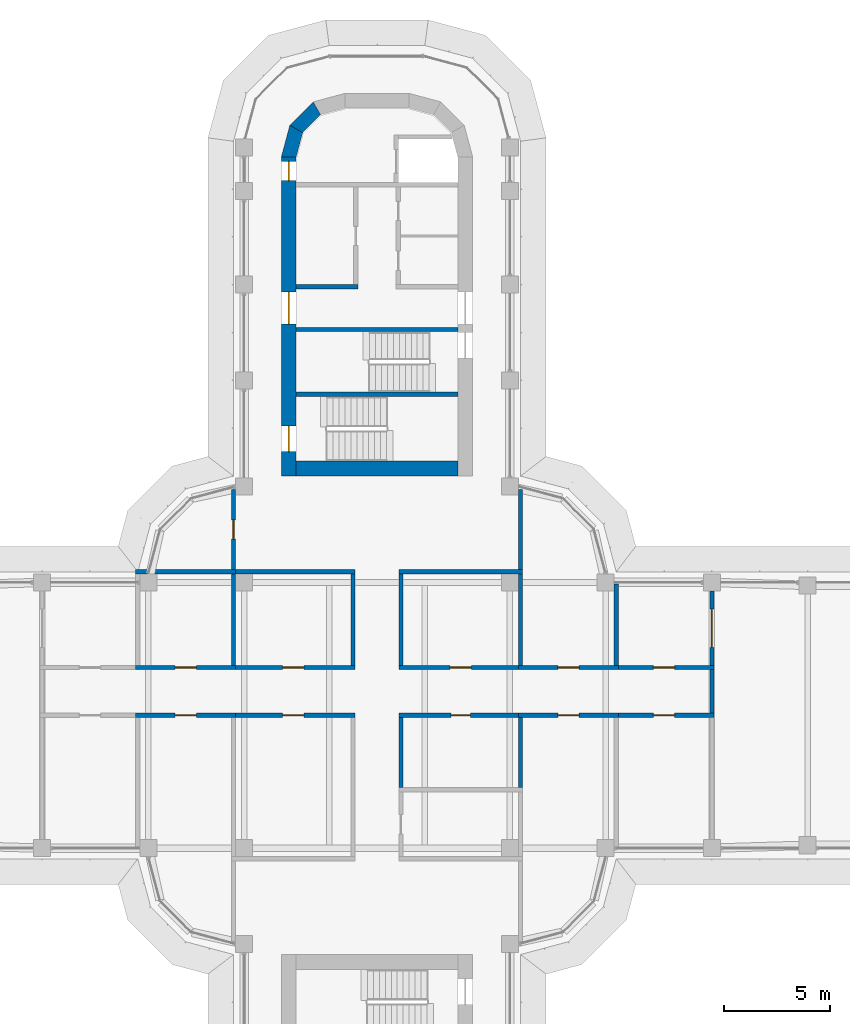
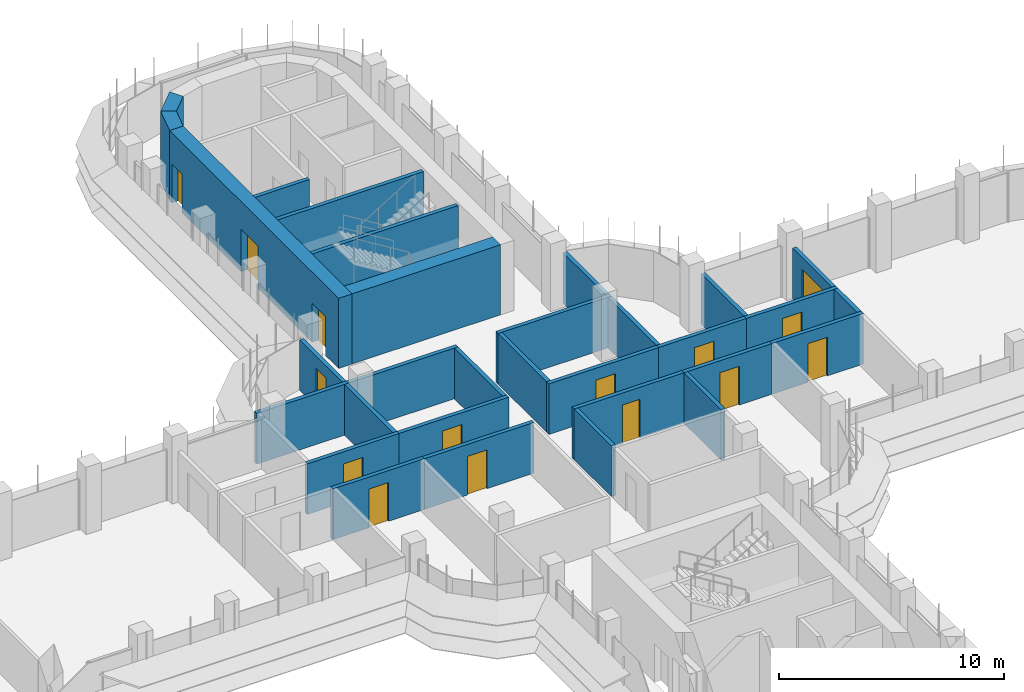
# One storey, part 15 of 20: 31 walls, 15 doors, 15 openings.
"""IFC4 building model written with IfcOpenShell, lengths in metres."""

from ifc_helpers import new_model, si_unit, direction, frame, frame_2d, origin, place, context, subcontext, project, spatial, polyline, rectangle, outline, extrude, material, layer, layer_set, type_object, element, fill, save


model = new_model("IFC4")

# Units and contexts
model_context = context("Model", 3, precision=1e-05, world=origin(), true_north=direction((0.0, 1.0)))
body_context = subcontext(model_context, "Body", "Model", "MODEL_VIEW")
ifc_project = project(units=[si_unit("LENGTHUNIT", "METRE"), si_unit("AREAUNIT", "SQUARE_METRE"), si_unit("VOLUMEUNIT", "CUBIC_METRE"), si_unit("PLANEANGLEUNIT", "RADIAN"), si_unit("MASSUNIT", "GRAM", prefix="KILO")], contexts=[model_context])

# Site, building, storey
site_placement = place(None, origin())
site = spatial("IfcSite", under=ifc_project, at=site_placement, CompositionType="ELEMENT")
building_placement = place(site_placement, origin())
building = spatial("IfcBuilding", under=site, at=building_placement, Name="Zarbagh Exchange Tower", CompositionType="ELEMENT")
storey_placement = place(building_placement, frame((0.0, 0.0, 148.60009765625)))
storey = spatial("IfcBuildingStorey", under=building, at=storey_placement, Name="L35", CompositionType="ELEMENT", Elevation=148.60009765625)

# Wall, opening, door
ifc_material_1 = material(Name="Fire-rated plasterboard partition")
ifc_layer_1 = layer(ifc_material_1, 0.199951171875)
ifc_layer_set_1 = layer_set([ifc_layer_1], Name="RATED PARTITION 200")
wall_type_1 = type_object("IfcWallType", Name="RATED PARTITION 200", PredefinedType="PARTITIONING", material=ifc_layer_set_1)
wall_1_placement = place(storey_placement, frame((1.02490234375, 2.25, 0.0), z_axis=(0.0, 0.0, 1.0), x_axis=(1.0, 0.0, 0.0)))
wall_1 = element("IfcWall", 1, at=wall_1_placement, inside=storey, type_object=wall_type_1, Name="Partition W-1501", PredefinedType="PARTITIONING", context=body_context, shape_type="SweptSolid", body=[
    extrude(rectangle(XDim=5.8251953125, YDim=0.199951171875, at=frame_2d((2.91259765625, 0.0))), origin(), (0.0, 0.0, 1.0), 2.75),
])
opening_1_placement = place(wall_1_placement, frame((2.41259765625, 0.0, 0.0)))
opening_1 = element("IfcOpeningElement", 2, at=opening_1_placement, cuts=wall_1, Name="Opening D-1504", PredefinedType="OPENING", context=body_context, shape_type="SweptSolid", body=[
    extrude(rectangle(XDim=1.0, YDim=2.10009765625, at=frame_2d((0.5, 1.050048828125))), frame((0.0, 0.10986328125, 0.0), z_axis=(0.0, -1.0, 0.0), x_axis=(1.0, 0.0, 0.0)), (0.0, 0.0, 1.0), 0.219970703125),
])
ifc_material_2 = material(Name="Steel door set", Category="steel")
door_type_1 = type_object("IfcDoorType", Name="FIRE DOOR 1000 X 2100 FD30S", OperationType="NOTDEFINED", PredefinedType="DOOR", material=ifc_material_2)
door_1_placement = place(opening_1_placement, origin())
door_1 = element("IfcDoor", 3, at=door_1_placement, inside=storey, type_object=door_type_1, Name="Door D-1504", OperationType="SINGLE_SWING_RIGHT", OverallHeight=2.10009765625, OverallWidth=1.0, PredefinedType="DOOR", context=body_context, shape_type="SweptSolid", body=[
    extrude(rectangle(XDim=1.0, YDim=2.10009765625, at=frame_2d((0.5, 1.050048828125))), frame((0.0, 0.02490234375, 0.0), z_axis=(0.0, -1.0, 0.0), x_axis=(1.0, 0.0, 0.0)), (0.0, 0.0, 1.0), 0.050048828125),
])
fill(opening_1, door_1)

wall_2_placement = place(storey_placement, frame((6.64990234375, 2.25, 0.0), z_axis=(0.0, 0.0, 1.0), x_axis=(1.0, 0.0, 0.0)))
wall_2 = element("IfcWall", 4, at=wall_2_placement, inside=storey, type_object=wall_type_1, Name="Partition W-1502", PredefinedType="PARTITIONING", context=body_context, shape_type="SweptSolid", body=[
    extrude(rectangle(XDim=4.7001953125, YDim=0.199951171875, at=frame_2d((2.35009765625, 0.0))), origin(), (0.0, 0.0, 1.0), 2.75),
])
opening_2_placement = place(wall_2_placement, frame((1.85009765625, 0.0, 0.0)))
opening_2 = element("IfcOpeningElement", 5, at=opening_2_placement, cuts=wall_2, Name="Opening D-1505", PredefinedType="OPENING", context=body_context, shape_type="SweptSolid", body=[
    extrude(rectangle(XDim=1.0, YDim=2.10009765625, at=frame_2d((0.5, 1.050048828125))), frame((0.0, 0.10986328125, 0.0), z_axis=(0.0, -1.0, 0.0), x_axis=(1.0, 0.0, 0.0)), (0.0, 0.0, 1.0), 0.219970703125),
])
door_2_placement = place(opening_2_placement, origin())
door_2 = element("IfcDoor", 6, at=door_2_placement, inside=storey, type_object=door_type_1, Name="Door D-1505", OperationType="SINGLE_SWING_RIGHT", OverallHeight=2.10009765625, OverallWidth=1.0, PredefinedType="DOOR", context=body_context, shape_type="SweptSolid", body=[
    extrude(rectangle(XDim=1.0, YDim=2.10009765625, at=frame_2d((0.5, 1.050048828125))), frame((0.0, 0.02490234375, 0.0), z_axis=(0.0, -1.0, 0.0), x_axis=(1.0, 0.0, 0.0)), (0.0, 0.0, 1.0), 0.050048828125),
])
fill(opening_2, door_2)

wall_3_placement = place(storey_placement, frame((-6.85009765625, 2.25, 0.0), z_axis=(0.0, 0.0, 1.0), x_axis=(1.0, 0.0, 0.0)))
wall_3 = element("IfcWall", 7, at=wall_3_placement, inside=storey, type_object=wall_type_1, Name="Partition W-1503", PredefinedType="PARTITIONING", context=body_context, shape_type="SweptSolid", body=[
    extrude(rectangle(XDim=5.8251953125, YDim=0.199951171875, at=frame_2d((2.91259765625, 0.0))), origin(), (0.0, 0.0, 1.0), 2.75),
])
opening_3_placement = place(wall_3_placement, frame((2.41259765625, 0.0, 0.0)))
opening_3 = element("IfcOpeningElement", 8, at=opening_3_placement, cuts=wall_3, Name="Opening D-1506", PredefinedType="OPENING", context=body_context, shape_type="SweptSolid", body=[
    extrude(rectangle(XDim=1.0, YDim=2.10009765625, at=frame_2d((0.5, 1.050048828125))), frame((0.0, 0.10986328125, 0.0), z_axis=(0.0, -1.0, 0.0), x_axis=(1.0, 0.0, 0.0)), (0.0, 0.0, 1.0), 0.219970703125),
])
door_3_placement = place(opening_3_placement, origin())
door_3 = element("IfcDoor", 9, at=door_3_placement, inside=storey, type_object=door_type_1, Name="Door D-1506", OperationType="SINGLE_SWING_RIGHT", OverallHeight=2.10009765625, OverallWidth=1.0, PredefinedType="DOOR", context=body_context, shape_type="SweptSolid", body=[
    extrude(rectangle(XDim=1.0, YDim=2.10009765625, at=frame_2d((0.5, 1.050048828125))), frame((0.0, 0.02490234375, 0.0), z_axis=(0.0, -1.0, 0.0), x_axis=(1.0, 0.0, 0.0)), (0.0, 0.0, 1.0), 0.050048828125),
])
fill(opening_3, door_3)

wall_4_placement = place(storey_placement, frame((-11.35009765625, 2.25, 0.0), z_axis=(0.0, 0.0, 1.0), x_axis=(1.0, 0.0, 0.0)))
wall_4 = element("IfcWall", 10, at=wall_4_placement, inside=storey, type_object=wall_type_1, Name="Partition W-1504", PredefinedType="PARTITIONING", context=body_context, shape_type="SweptSolid", body=[
    extrude(rectangle(XDim=4.7001953125, YDim=0.199951171875, at=frame_2d((2.35009765625, 0.0))), origin(), (0.0, 0.0, 1.0), 2.75),
])
opening_4_placement = place(wall_4_placement, frame((1.85009765625, 0.0, 0.0)))
opening_4 = element("IfcOpeningElement", 11, at=opening_4_placement, cuts=wall_4, Name="Opening D-1507", PredefinedType="OPENING", context=body_context, shape_type="SweptSolid", body=[
    extrude(rectangle(XDim=1.0, YDim=2.10009765625, at=frame_2d((0.5, 1.050048828125))), frame((0.0, 0.10986328125, 0.0), z_axis=(0.0, -1.0, 0.0), x_axis=(1.0, 0.0, 0.0)), (0.0, 0.0, 1.0), 0.219970703125),
])
door_4_placement = place(opening_4_placement, origin())
door_4 = element("IfcDoor", 12, at=door_4_placement, inside=storey, type_object=door_type_1, Name="Door D-1507", OperationType="SINGLE_SWING_RIGHT", OverallHeight=2.10009765625, OverallWidth=1.0, PredefinedType="DOOR", context=body_context, shape_type="SweptSolid", body=[
    extrude(rectangle(XDim=1.0, YDim=2.10009765625, at=frame_2d((0.5, 1.050048828125))), frame((0.0, 0.02490234375, 0.0), z_axis=(0.0, -1.0, 0.0), x_axis=(1.0, 0.0, 0.0)), (0.0, 0.0, 1.0), 0.050048828125),
])
fill(opening_4, door_4)

wall_5_placement = place(storey_placement, frame((6.85009765625, 0.0, 0.0), z_axis=(0.0, 0.0, 1.0), x_axis=(-1.0, 0.0, 0.0)))
wall_5 = element("IfcWall", 13, at=wall_5_placement, inside=storey, type_object=wall_type_1, Name="Partition W-1505", PredefinedType="PARTITIONING", context=body_context, shape_type="SweptSolid", body=[
    extrude(rectangle(XDim=5.8251953125, YDim=0.199951171875, at=frame_2d((2.91259765625, 0.0))), origin(), (0.0, 0.0, 1.0), 2.75),
])
opening_5_placement = place(wall_5_placement, frame((2.46240234375, 0.0, 0.0)))
opening_5 = element("IfcOpeningElement", 14, at=opening_5_placement, cuts=wall_5, Name="Opening D-1509", PredefinedType="OPENING", context=body_context, shape_type="SweptSolid", body=[
    extrude(rectangle(XDim=0.89990234375, YDim=2.10009765625, at=frame_2d((0.449951171875, 1.050048828125))), frame((0.0, 0.10986328125, 0.0), z_axis=(0.0, -1.0, 0.0), x_axis=(1.0, 0.0, 0.0)), (0.0, 0.0, 1.0), 0.219970703125),
])
ifc_material_3 = material(Name="Timber door leaf", Category="wood")
door_type_2 = type_object("IfcDoorType", Name="DOOR 900 X 2100", OperationType="NOTDEFINED", PredefinedType="DOOR", material=ifc_material_3)
door_5_placement = place(opening_5_placement, origin())
door_5 = element("IfcDoor", 15, at=door_5_placement, inside=storey, type_object=door_type_2, Name="Door D-1509", OperationType="SINGLE_SWING_RIGHT", OverallHeight=2.10009765625, OverallWidth=0.89990234375, PredefinedType="DOOR", context=body_context, shape_type="SweptSolid", body=[
    extrude(rectangle(XDim=0.89990234375, YDim=2.10009765625, at=frame_2d((0.449951171875, 1.050048828125))), frame((0.0, 0.02490234375, 0.0), z_axis=(0.0, -1.0, 0.0), x_axis=(1.0, 0.0, 0.0)), (0.0, 0.0, 1.0), 0.050048828125),
])
fill(opening_5, door_5)

wall_6_placement = place(storey_placement, frame((11.35009765625, 0.0, 0.0), z_axis=(0.0, 0.0, 1.0), x_axis=(-1.0, 0.0, 0.0)))
wall_6 = element("IfcWall", 16, at=wall_6_placement, inside=storey, type_object=wall_type_1, Name="Partition W-1506", PredefinedType="PARTITIONING", context=body_context, shape_type="SweptSolid", body=[
    extrude(rectangle(XDim=4.7001953125, YDim=0.199951171875, at=frame_2d((2.35009765625, 0.0))), origin(), (0.0, 0.0, 1.0), 2.75),
])
opening_6_placement = place(wall_6_placement, frame((1.85009765625, 0.0, 0.0)))
opening_6 = element("IfcOpeningElement", 17, at=opening_6_placement, cuts=wall_6, Name="Opening D-1511", PredefinedType="OPENING", context=body_context, shape_type="SweptSolid", body=[
    extrude(rectangle(XDim=1.0, YDim=2.10009765625, at=frame_2d((0.5, 1.050048828125))), frame((0.0, 0.10986328125, 0.0), z_axis=(0.0, -1.0, 0.0), x_axis=(1.0, 0.0, 0.0)), (0.0, 0.0, 1.0), 0.219970703125),
])
door_6_placement = place(opening_6_placement, origin())
door_6 = element("IfcDoor", 18, at=door_6_placement, inside=storey, type_object=door_type_1, Name="Door D-1511", OperationType="SINGLE_SWING_RIGHT", OverallHeight=2.10009765625, OverallWidth=1.0, PredefinedType="DOOR", context=body_context, shape_type="SweptSolid", body=[
    extrude(rectangle(XDim=1.0, YDim=2.10009765625, at=frame_2d((0.5, 1.050048828125))), frame((0.0, 0.02490234375, 0.0), z_axis=(0.0, -1.0, 0.0), x_axis=(1.0, 0.0, 0.0)), (0.0, 0.0, 1.0), 0.050048828125),
])
fill(opening_6, door_6)

wall_7_placement = place(storey_placement, frame((-1.02490234375, 0.0, 0.0), z_axis=(0.0, 0.0, 1.0), x_axis=(-1.0, 0.0, 0.0)))
wall_7 = element("IfcWall", 19, at=wall_7_placement, inside=storey, type_object=wall_type_1, Name="Partition W-1507", PredefinedType="PARTITIONING", context=body_context, shape_type="SweptSolid", body=[
    extrude(rectangle(XDim=5.8251953125, YDim=0.199951171875, at=frame_2d((2.91259765625, 0.0))), origin(), (0.0, 0.0, 1.0), 2.75),
])
opening_7_placement = place(wall_7_placement, frame((2.41259765625, 0.0, 0.0)))
opening_7 = element("IfcOpeningElement", 20, at=opening_7_placement, cuts=wall_7, Name="Opening D-1512", PredefinedType="OPENING", context=body_context, shape_type="SweptSolid", body=[
    extrude(rectangle(XDim=1.0, YDim=2.10009765625, at=frame_2d((0.5, 1.050048828125))), frame((0.0, 0.10986328125, 0.0), z_axis=(0.0, -1.0, 0.0), x_axis=(1.0, 0.0, 0.0)), (0.0, 0.0, 1.0), 0.219970703125),
])
door_7_placement = place(opening_7_placement, origin())
door_7 = element("IfcDoor", 21, at=door_7_placement, inside=storey, type_object=door_type_1, Name="Door D-1512", OperationType="SINGLE_SWING_RIGHT", OverallHeight=2.10009765625, OverallWidth=1.0, PredefinedType="DOOR", context=body_context, shape_type="SweptSolid", body=[
    extrude(rectangle(XDim=1.0, YDim=2.10009765625, at=frame_2d((0.5, 1.050048828125))), frame((0.0, 0.02490234375, 0.0), z_axis=(0.0, -1.0, 0.0), x_axis=(1.0, 0.0, 0.0)), (0.0, 0.0, 1.0), 0.050048828125),
])
fill(opening_7, door_7)

wall_8_placement = place(storey_placement, frame((-6.64990234375, 0.0, 0.0), z_axis=(0.0, 0.0, 1.0), x_axis=(-1.0, 0.0, 0.0)))
wall_8 = element("IfcWall", 22, at=wall_8_placement, inside=storey, type_object=wall_type_1, Name="Partition W-1508", PredefinedType="PARTITIONING", context=body_context, shape_type="SweptSolid", body=[
    extrude(rectangle(XDim=4.7001953125, YDim=0.199951171875, at=frame_2d((2.35009765625, 0.0))), origin(), (0.0, 0.0, 1.0), 2.75),
])
opening_8_placement = place(wall_8_placement, frame((1.85009765625, 0.0, 0.0)))
opening_8 = element("IfcOpeningElement", 23, at=opening_8_placement, cuts=wall_8, Name="Opening D-1513", PredefinedType="OPENING", context=body_context, shape_type="SweptSolid", body=[
    extrude(rectangle(XDim=1.0, YDim=2.10009765625, at=frame_2d((0.5, 1.050048828125))), frame((0.0, 0.10986328125, 0.0), z_axis=(0.0, -1.0, 0.0), x_axis=(1.0, 0.0, 0.0)), (0.0, 0.0, 1.0), 0.219970703125),
])
door_8_placement = place(opening_8_placement, origin())
door_8 = element("IfcDoor", 24, at=door_8_placement, inside=storey, type_object=door_type_1, Name="Door D-1513", OperationType="SINGLE_SWING_RIGHT", OverallHeight=2.10009765625, OverallWidth=1.0, PredefinedType="DOOR", context=body_context, shape_type="SweptSolid", body=[
    extrude(rectangle(XDim=1.0, YDim=2.10009765625, at=frame_2d((0.5, 1.050048828125))), frame((0.0, 0.02490234375, 0.0), z_axis=(0.0, -1.0, 0.0), x_axis=(1.0, 0.0, 0.0)), (0.0, 0.0, 1.0), 0.050048828125),
])
fill(opening_8, door_8)

wall_9_placement = place(storey_placement, frame((11.14990234375, 2.25, 0.0), z_axis=(0.0, 0.0, 1.0), x_axis=(1.0, 0.0, 0.0)))
wall_9 = element("IfcWall", 25, at=wall_9_placement, inside=storey, type_object=wall_type_1, Name="Partition W-1509", PredefinedType="PARTITIONING", context=body_context, shape_type="SweptSolid", body=[
    extrude(rectangle(XDim=4.7001953125, YDim=0.199951171875, at=frame_2d((2.35009765625, 0.0))), origin(), (0.0, 0.0, 1.0), 2.75),
])
opening_9_placement = place(wall_9_placement, frame((1.85009765625, 0.0, 0.0)))
opening_9 = element("IfcOpeningElement", 26, at=opening_9_placement, cuts=wall_9, Name="Opening D-1502", PredefinedType="OPENING", context=body_context, shape_type="SweptSolid", body=[
    extrude(rectangle(XDim=1.0, YDim=2.10009765625, at=frame_2d((0.5, 1.050048828125))), frame((0.0, 0.10986328125, 0.0), z_axis=(0.0, -1.0, 0.0), x_axis=(1.0, 0.0, 0.0)), (0.0, 0.0, 1.0), 0.219970703125),
])
door_9_placement = place(opening_9_placement, origin())
door_9 = element("IfcDoor", 27, at=door_9_placement, inside=storey, type_object=door_type_1, Name="Door D-1502", OperationType="SINGLE_SWING_RIGHT", OverallHeight=2.10009765625, OverallWidth=1.0, PredefinedType="DOOR", context=body_context, shape_type="SweptSolid", body=[
    extrude(rectangle(XDim=1.0, YDim=2.10009765625, at=frame_2d((0.5, 1.050048828125))), frame((0.0, 0.02490234375, 0.0), z_axis=(0.0, -1.0, 0.0), x_axis=(1.0, 0.0, 0.0)), (0.0, 0.0, 1.0), 0.050048828125),
])
fill(opening_9, door_9)

wall_10_placement = place(storey_placement, frame((15.85009765625, 0.0, 0.0), z_axis=(0.0, 0.0, 1.0), x_axis=(-1.0, 0.0, 0.0)))
wall_10 = element("IfcWall", 28, at=wall_10_placement, inside=storey, type_object=wall_type_1, Name="Partition W-1510", PredefinedType="PARTITIONING", context=body_context, shape_type="SweptSolid", body=[
    extrude(rectangle(XDim=4.7001953125, YDim=0.199951171875, at=frame_2d((2.35009765625, 0.0))), origin(), (0.0, 0.0, 1.0), 2.75),
])
opening_10_placement = place(wall_10_placement, frame((1.85009765625, 0.0, 0.0)))
opening_10 = element("IfcOpeningElement", 29, at=opening_10_placement, cuts=wall_10, Name="Opening D-1503", PredefinedType="OPENING", context=body_context, shape_type="SweptSolid", body=[
    extrude(rectangle(XDim=1.0, YDim=2.10009765625, at=frame_2d((0.5, 1.050048828125))), frame((0.0, 0.10986328125, 0.0), z_axis=(0.0, -1.0, 0.0), x_axis=(1.0, 0.0, 0.0)), (0.0, 0.0, 1.0), 0.219970703125),
])
door_10_placement = place(opening_10_placement, origin())
door_10 = element("IfcDoor", 30, at=door_10_placement, inside=storey, type_object=door_type_1, Name="Door D-1503", OperationType="SINGLE_SWING_RIGHT", OverallHeight=2.10009765625, OverallWidth=1.0, PredefinedType="DOOR", context=body_context, shape_type="SweptSolid", body=[
    extrude(rectangle(XDim=1.0, YDim=2.10009765625, at=frame_2d((0.5, 1.050048828125))), frame((0.0, 0.02490234375, 0.0), z_axis=(0.0, -1.0, 0.0), x_axis=(1.0, 0.0, 0.0)), (0.0, 0.0, 1.0), 0.050048828125),
])
fill(opening_10, door_10)

# Walls
wall_11_placement = place(storey_placement, frame((15.75, 0.10009765625, 0.0), z_axis=(0.0, 0.0, 1.0), x_axis=(0.0, 1.0, 0.0)))
element("IfcWall", 31, at=wall_11_placement, inside=storey, type_object=wall_type_1, Name="Partition W-1511", PredefinedType="PARTITIONING", context=body_context, shape_type="SweptSolid", body=[
    extrude(rectangle(XDim=2.0498046875, YDim=0.199951171875, at=frame_2d((1.02490234375, 0.0))), origin(), (0.0, 0.0, 1.0), 2.75),
])
for number, where, z_axis, x_axis, name in (
    (32, (1.125, 2.35009765625, 0.0), (0.0, 0.0, 1.0), (0.0, 1.0, 0.0), "Partition W-1515"),
    (33, (-1.125, 2.35009765625, 0.0), (0.0, 0.0, 1.0), (0.0, 1.0, 0.0), "Partition W-1516"),
):
    element("IfcWall", number, at=place(storey_placement, frame(where, z_axis=z_axis, x_axis=x_axis)), inside=storey, type_object=wall_type_1, Name=name, PredefinedType="PARTITIONING", context=body_context, shape_type="SweptSolid", body=[
        extrude(rectangle(XDim=4.2998046875, YDim=0.199951171875, at=frame_2d((2.14990234375, 0.0))), origin(), (0.0, 0.0, 1.0), 2.75),
    ])
wall_12_placement = place(storey_placement, frame((1.125, -3.39990234375, 0.0), z_axis=(0.0, 0.0, 1.0), x_axis=(0.0, 1.0, 0.0)))
element("IfcWall", 34, at=wall_12_placement, inside=storey, type_object=wall_type_1, Name="Partition W-1517", PredefinedType="PARTITIONING", context=body_context, shape_type="SweptSolid", body=[
    extrude(rectangle(XDim=3.2998046875, YDim=0.199951171875, at=frame_2d((1.64990234375, 0.0))), origin(), (0.0, 0.0, 1.0), 2.75),
])
wall_13_placement = place(storey_placement, frame((1.02490234375, 6.75, 0.0), z_axis=(0.0, 0.0, 1.0), x_axis=(1.0, 0.0, 0.0)))
element("IfcWall", 35, at=wall_13_placement, inside=storey, type_object=wall_type_1, Name="Partition W-1520", PredefinedType="PARTITIONING", context=body_context, shape_type="SweptSolid", body=[
    extrude(rectangle(XDim=5.8251953125, YDim=0.199951171875, at=frame_2d((2.91259765625, 0.0))), origin(), (0.0, 0.0, 1.0), 2.75),
])
wall_14_placement = place(storey_placement, frame((6.75, 6.85009765625, 0.0), z_axis=(0.0, 0.0, 1.0), x_axis=(0.0, 1.0, 0.0)))
element("IfcWall", 36, at=wall_14_placement, inside=storey, type_object=wall_type_1, Name="Partition W-1521", PredefinedType="PARTITIONING", context=body_context, shape_type="SweptSolid", body=[
    extrude(rectangle(XDim=3.77978515625, YDim=0.199951171875, at=frame_2d((1.889892578125, 0.0))), origin(), (0.0, 0.0, 1.0), 2.75),
])
wall_15_placement = place(storey_placement, frame((-6.85009765625, 6.75, 0.0), z_axis=(0.0, 0.0, 1.0), x_axis=(1.0, 0.0, 0.0)))
element("IfcWall", 37, at=wall_15_placement, inside=storey, type_object=wall_type_1, Name="Partition W-1522", PredefinedType="PARTITIONING", context=body_context, shape_type="SweptSolid", body=[
    extrude(rectangle(XDim=5.8251953125, YDim=0.199951171875, at=frame_2d((2.91259765625, 0.0))), origin(), (0.0, 0.0, 1.0), 2.75),
])

# Wall, opening, door
wall_16_placement = place(storey_placement, frame((-6.75, 6.85009765625, 0.0), z_axis=(0.0, 0.0, 1.0), x_axis=(0.0, 1.0, 0.0)))
wall_16 = element("IfcWall", 38, at=wall_16_placement, inside=storey, type_object=wall_type_1, Name="Partition W-1523", PredefinedType="PARTITIONING", context=body_context, shape_type="SweptSolid", body=[
    extrude(rectangle(XDim=3.77978515625, YDim=0.199951171875, at=frame_2d((1.889892578125, 0.0))), origin(), (0.0, 0.0, 1.0), 2.75),
])
opening_11_placement = place(wall_16_placement, frame((1.43994140625, 0.0, 0.0)))
opening_11 = element("IfcOpeningElement", 39, at=opening_11_placement, cuts=wall_16, Name="Opening D-1508", PredefinedType="OPENING", context=body_context, shape_type="SweptSolid", body=[
    extrude(rectangle(XDim=0.89990234375, YDim=2.10009765625, at=frame_2d((0.449951171875, 1.050048828125))), frame((0.0, 0.10986328125, 0.0), z_axis=(0.0, -1.0, 0.0), x_axis=(1.0, 0.0, 0.0)), (0.0, 0.0, 1.0), 0.219970703125),
])
door_11_placement = place(opening_11_placement, origin())
door_11 = element("IfcDoor", 40, at=door_11_placement, inside=storey, type_object=door_type_2, Name="Door D-1508", OperationType="SINGLE_SWING_LEFT", OverallHeight=2.10009765625, OverallWidth=0.89990234375, PredefinedType="DOOR", context=body_context, shape_type="SweptSolid", body=[
    extrude(rectangle(XDim=0.89990234375, YDim=2.10009765625, at=frame_2d((0.449951171875, 1.050048828125))), frame((0.0, 0.02490234375, 0.0), z_axis=(0.0, -1.0, 0.0), x_axis=(1.0, 0.0, 0.0)), (0.0, 0.0, 1.0), 0.050048828125),
])
fill(opening_11, door_11)

# Walls
wall_17_placement = place(storey_placement, frame((6.75, 2.35009765625, 0.0), z_axis=(0.0, 0.0, 1.0), x_axis=(0.0, 1.0, 0.0)))
element("IfcWall", 41, at=wall_17_placement, inside=storey, type_object=wall_type_1, Name="Partition W-1528", PredefinedType="PARTITIONING", context=body_context, shape_type="SweptSolid", body=[
    extrude(rectangle(XDim=4.2998046875, YDim=0.199951171875, at=frame_2d((2.14990234375, 0.0))), origin(), (0.0, 0.0, 1.0), 2.75),
])
wall_18_placement = place(storey_placement, frame((11.25, 2.35009765625, 0.0), z_axis=(0.0, 0.0, 1.0), x_axis=(0.0, 1.0, 0.0)))
element("IfcWall", 42, at=wall_18_placement, inside=storey, type_object=wall_type_1, Name="Partition W-1529", PredefinedType="PARTITIONING", context=body_context, shape_type="SweptSolid", body=[
    extrude(rectangle(XDim=3.81982421875, YDim=0.199951171875, at=frame_2d((1.909912109375, 0.0))), origin(), (0.0, 0.0, 1.0), 2.75),
])
wall_19_placement = place(storey_placement, frame((-6.75, 2.35009765625, 0.0), z_axis=(0.0, 0.0, 1.0), x_axis=(0.0, 1.0, 0.0)))
element("IfcWall", 43, at=wall_19_placement, inside=storey, type_object=wall_type_1, Name="Partition W-1530", PredefinedType="PARTITIONING", context=body_context, shape_type="SweptSolid", body=[
    extrude(rectangle(XDim=4.2998046875, YDim=0.199951171875, at=frame_2d((2.14990234375, 0.0))), origin(), (0.0, 0.0, 1.0), 2.75),
])
wall_20_placement = place(storey_placement, frame((-11.35009765625, 6.75, 0.0), z_axis=(0.0, 0.0, 1.0), x_axis=(1.0, 0.0, 0.0)))
element("IfcWall", 44, at=wall_20_placement, inside=storey, type_object=wall_type_1, Name="Partition W-1531", PredefinedType="PARTITIONING", context=body_context, shape_type="SweptSolid", body=[
    extrude(rectangle(XDim=4.7001953125, YDim=0.199951171875, at=frame_2d((2.35009765625, 0.0))), origin(), (0.0, 0.0, 1.0), 2.75),
])
wall_21_placement = place(storey_placement, frame((6.75, -3.39990234375, 0.0), z_axis=(0.0, 0.0, 1.0), x_axis=(0.0, 1.0, 0.0)))
element("IfcWall", 45, at=wall_21_placement, inside=storey, type_object=wall_type_1, Name="Partition W-1534", PredefinedType="PARTITIONING", context=body_context, shape_type="SweptSolid", body=[
    extrude(rectangle(XDim=3.2998046875, YDim=0.199951171875, at=frame_2d((1.64990234375, 0.0))), origin(), (0.0, 0.0, 1.0), 2.75),
])

# Wall, opening, door
wall_22_placement = place(storey_placement, frame((15.75, 5.85009765625, 0.0), z_axis=(0.0, 0.0, 1.0), x_axis=(0.0, -1.0, 0.0)))
wall_22 = element("IfcWall", 46, at=wall_22_placement, inside=storey, type_object=wall_type_1, Name="Partition W-1539", PredefinedType="PARTITIONING", context=body_context, shape_type="SweptSolid", body=[
    extrude(rectangle(XDim=3.5, YDim=0.199951171875, at=frame_2d((1.75, 0.0))), origin(), (0.0, 0.0, 1.0), 2.75),
])
opening_12_placement = place(wall_22_placement, frame((0.85009765625, 0.0, 0.0)))
opening_12 = element("IfcOpeningElement", 47, at=opening_12_placement, cuts=wall_22, Name="Opening D-1501", PredefinedType="OPENING", context=body_context, shape_type="SweptSolid", body=[
    extrude(rectangle(XDim=1.800048828125, YDim=2.10009765625, at=frame_2d((0.89990234375, 1.050048828125))), frame((0.0, 0.10986328125, 0.0), z_axis=(0.0, -1.0, 0.0), x_axis=(1.0, 0.0, 0.0)), (0.0, 0.0, 1.0), 0.219970703125),
])
door_type_3 = type_object("IfcDoorType", Name="FIRE DOUBLE DOOR 1800 X 2100 FD30S", OperationType="DOUBLE_DOOR_SINGLE_SWING", PredefinedType="DOOR", material=ifc_material_2)
door_12_placement = place(opening_12_placement, origin())
door_12 = element("IfcDoor", 48, at=door_12_placement, inside=storey, type_object=door_type_3, Name="Door D-1501", OperationType="DOUBLE_DOOR_SINGLE_SWING", OverallHeight=2.10009765625, OverallWidth=1.800048828125, PredefinedType="DOOR", context=body_context, shape_type="SweptSolid", body=[
    extrude(rectangle(XDim=1.800048828125, YDim=2.10009765625, at=frame_2d((0.89990234375, 1.050048828125))), frame((0.0, 0.02490234375, 0.0), z_axis=(0.0, -1.0, 0.0), x_axis=(1.0, 0.0, 0.0)), (0.0, 0.0, 1.0), 0.050048828125),
])
fill(opening_12, door_12)

# Walls
ifc_material_4 = material(Name="Concrete C50/60", Category="concrete")
ifc_layer_2 = layer(ifc_material_4, 0.699951171875)
ifc_layer_set_2 = layer_set([ifc_layer_2], Name="RC core corner wall 700 C50/60")
wall_type_2 = type_object("IfcWallType", Name="RC core corner wall 700 C50/60", PredefinedType="SHEAR", material=ifc_layer_set_2)
wall_23_placement = place(storey_placement, origin())
element("IfcWall", 49, at=wall_23_placement, inside=storey, type_object=wall_type_2, Name="CW6 core N corner W", PredefinedType="SHEAR", context=body_context, shape_type="SweptSolid", body=[
    extrude(outline(polyline([(-4.5, 26.25), (-4.09814453125, 27.75), (-3.491943359375, 27.39990234375), (-3.800048828125, 26.25), (-4.5, 26.25)])), origin(), (0.0, 0.0, 1.0), 3.7998046875),
])
wall_24_placement = place(storey_placement, origin())
element("IfcWall", 50, at=wall_24_placement, inside=storey, type_object=wall_type_2, Name="CW6 core N corner W", PredefinedType="SHEAR", context=body_context, shape_type="SweptSolid", body=[
    extrude(outline(polyline([(-4.09814453125, 27.75), (-3.0, 28.84814453125), (-2.64990234375, 28.241943359375), (-3.491943359375, 27.39990234375), (-4.09814453125, 27.75)])), origin(), (0.0, 0.0, 1.0), 3.7998046875),
])

# Wall, openings, doors
ifc_layer_3 = layer(ifc_material_4, 0.699951171875)
ifc_layer_set_3 = layer_set([ifc_layer_3], Name="RC core wall 700 C50/60")
wall_type_3 = type_object("IfcWallType", Name="RC core wall 700 C50/60", PredefinedType="SHEAR", material=ifc_layer_set_3)
wall_25_placement = place(storey_placement, frame((-4.14990234375, 11.25, 0.0), z_axis=(0.0, 0.0, 1.0), x_axis=(0.0, 1.0, 0.0)))
wall_25 = element("IfcWall", 51, at=wall_25_placement, inside=storey, type_object=wall_type_3, Name="CW5 core N W", PredefinedType="SHEAR", context=body_context, shape_type="SweptSolid", body=[
    extrude(rectangle(XDim=15.0, YDim=0.699951171875, at=frame_2d((7.5, 0.0))), origin(), (0.0, 0.0, 1.0), 3.7998046875),
])
opening_13_placement = place(wall_25_placement, frame((7.14990234375, 0.0, 0.0)))
opening_13 = element("IfcOpeningElement", 52, at=opening_13_placement, cuts=wall_25, Name="Opening CD1-1500", PredefinedType="OPENING", context=body_context, shape_type="SweptSolid", body=[
    extrude(rectangle(XDim=1.5, YDim=2.300048828125, at=frame_2d((0.75, 1.14990234375))), frame((0.0, 0.35986328125, 0.0), z_axis=(0.0, -1.0, 0.0), x_axis=(1.0, 0.0, 0.0)), (0.0, 0.0, 1.0), 0.719970703125),
])
opening_14_placement = place(wall_25_placement, frame((13.89990234375, 0.0, 0.0)))
opening_14 = element("IfcOpeningElement", 53, at=opening_14_placement, cuts=wall_25, Name="Opening CD2-900", PredefinedType="OPENING", context=body_context, shape_type="SweptSolid", body=[
    extrude(rectangle(XDim=0.89990234375, YDim=2.10009765625, at=frame_2d((0.449951171875, 1.050048828125))), frame((0.0, 0.35986328125, 0.0), z_axis=(0.0, -1.0, 0.0), x_axis=(1.0, 0.0, 0.0)), (0.0, 0.0, 1.0), 0.719970703125),
])
opening_15_placement = place(wall_25_placement, frame((1.14990234375, 0.0, 0.0)))
opening_15 = element("IfcOpeningElement", 54, at=opening_15_placement, cuts=wall_25, Name="Opening SD1-1200", PredefinedType="OPENING", context=body_context, shape_type="SweptSolid", body=[
    extrude(rectangle(XDim=1.199951171875, YDim=2.10009765625, at=frame_2d((0.60009765625, 1.050048828125))), frame((0.0, 0.35986328125, 0.0), z_axis=(0.0, -1.0, 0.0), x_axis=(1.0, 0.0, 0.0)), (0.0, 0.0, 1.0), 0.719970703125),
])
ifc_material_5 = material(Name="Steel", Category="steel")
door_type_4 = type_object("IfcDoorType", Name="Exit stair door 1200 x 2100", OperationType="NOTDEFINED", PredefinedType="DOOR", material=ifc_material_5)
door_13_placement = place(opening_15_placement, origin())
door_13 = element("IfcDoor", 55, at=door_13_placement, inside=storey, type_object=door_type_4, Name="North core stair door ST2", OperationType="SINGLE_SWING_LEFT", OverallHeight=2.10009765625, OverallWidth=1.199951171875, PredefinedType="DOOR", context=body_context, shape_type="SweptSolid", body=[
    extrude(rectangle(XDim=1.199951171875, YDim=2.10009765625, at=frame_2d((0.60009765625, 1.050048828125))), frame((0.0, 0.02490234375, 0.0), z_axis=(0.0, -1.0, 0.0), x_axis=(1.0, 0.0, 0.0)), (0.0, 0.0, 1.0), 0.050048828125),
])
fill(opening_15, door_13)
door_type_5 = type_object("IfcDoorType", Name="Firefighting lobby door 900 x 2100", OperationType="NOTDEFINED", PredefinedType="DOOR", material=ifc_material_5)
door_14_placement = place(opening_14_placement, origin())
door_14 = element("IfcDoor", 56, at=door_14_placement, inside=storey, type_object=door_type_5, Name="North core firefighting lobby door FF-W", OperationType="SINGLE_SWING_RIGHT", OverallHeight=2.10009765625, OverallWidth=0.89990234375, PredefinedType="DOOR", context=body_context, shape_type="SweptSolid", body=[
    extrude(rectangle(XDim=0.89990234375, YDim=2.10009765625, at=frame_2d((0.449951171875, 1.050048828125))), frame((0.0, 0.02490234375, 0.0), z_axis=(0.0, -1.0, 0.0), x_axis=(1.0, 0.0, 0.0)), (0.0, 0.0, 1.0), 0.050048828125),
])
fill(opening_14, door_14)
door_type_6 = type_object("IfcDoorType", Name="Lift lobby double door 1500 x 2300", OperationType="NOTDEFINED", PredefinedType="DOOR", material=ifc_material_5)
door_15_placement = place(opening_13_placement, origin())
door_15 = element("IfcDoor", 57, at=door_15_placement, inside=storey, type_object=door_type_6, Name="North core lift lobby door LOBBY-W", OperationType="DOUBLE_DOOR_SINGLE_SWING", OverallHeight=2.300048828125, OverallWidth=1.5, PredefinedType="DOOR", context=body_context, shape_type="SweptSolid", body=[
    extrude(rectangle(XDim=1.5, YDim=2.300048828125, at=frame_2d((0.75, 1.14990234375))), frame((0.0, 0.02490234375, 0.0), z_axis=(0.0, -1.0, 0.0), x_axis=(1.0, 0.0, 0.0)), (0.0, 0.0, 1.0), 0.050048828125),
])
fill(opening_13, door_15)

# Walls
wall_26_placement = place(storey_placement, frame((-3.800048828125, 11.60009765625, 0.0), z_axis=(0.0, 0.0, 1.0), x_axis=(1.0, 0.0, 0.0)))
element("IfcWall", 58, at=wall_26_placement, inside=storey, type_object=wall_type_3, Name="CW5 core N inner end", PredefinedType="SHEAR", context=body_context, shape_type="SweptSolid", body=[
    extrude(rectangle(XDim=7.60009765625, YDim=0.699951171875, at=frame_2d((3.800048828125, 0.0))), origin(), (0.0, 0.0, 1.0), 3.7998046875),
])
ifc_material_6 = material(Name="Dense blockwork", Category="masonry")
ifc_layer_4 = layer(ifc_material_6, 0.199951171875)
ifc_layer_set_4 = layer_set([ifc_layer_4], Name="Shaft wall 200 mm blockwork")
wall_type_4 = type_object("IfcWallType", Name="Shaft wall 200 mm blockwork", PredefinedType="PARTITIONING", material=ifc_layer_set_4)
wall_27_placement = place(storey_placement, frame((-3.800048828125, 20.14990234375, 0.0), z_axis=(0.0, 0.0, 1.0), x_axis=(1.0, 0.0, 0.0)))
element("IfcWall", 59, at=wall_27_placement, inside=storey, type_object=wall_type_4, Name="North core shaft wall AB-W", PredefinedType="PARTITIONING", context=body_context, shape_type="SweptSolid", body=[
    extrude(rectangle(XDim=2.900146484375, YDim=0.199951171875, at=frame_2d((1.4501953125, 0.0))), origin(), (0.0, 0.0, 1.0), 3.64990234375),
])
ifc_material_7 = material(Name="Concrete C40/50", Category="concrete")
ifc_layer_5 = layer(ifc_material_7, 0.199951171875)
ifc_layer_set_5 = layer_set([ifc_layer_5], Name="Stair enclosure wall 200 mm RC C40/50")
wall_type_5 = type_object("IfcWallType", Name="Stair enclosure wall 200 mm RC C40/50", PredefinedType="SHEAR", material=ifc_layer_set_5)
for number, where, z_axis, x_axis, name in (
    (60, (-3.800048828125, 18.14990234375, 0.0), (0.0, 0.0, 1.0), (1.0, 0.0, 0.0), "North core stair wall BS"),
    (61, (-3.800048828125, 15.10009765625, 0.0), (0.0, 0.0, 1.0), (1.0, 0.0, 0.0), "North core stair wall ST12"),
):
    element("IfcWall", number, at=place(storey_placement, frame(where, z_axis=z_axis, x_axis=x_axis)), inside=storey, type_object=wall_type_5, Name=name, PredefinedType="SHEAR", context=body_context, shape_type="SweptSolid", body=[
        extrude(rectangle(XDim=7.60009765625, YDim=0.199951171875, at=frame_2d((3.800048828125, 0.0))), origin(), (0.0, 0.0, 1.0), 3.64990234375),
    ])

save(model, "model.ifc")
